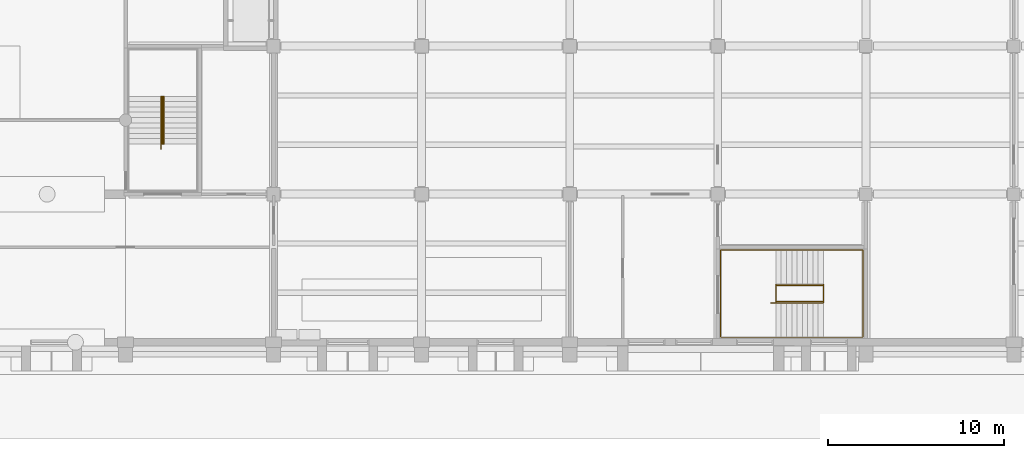
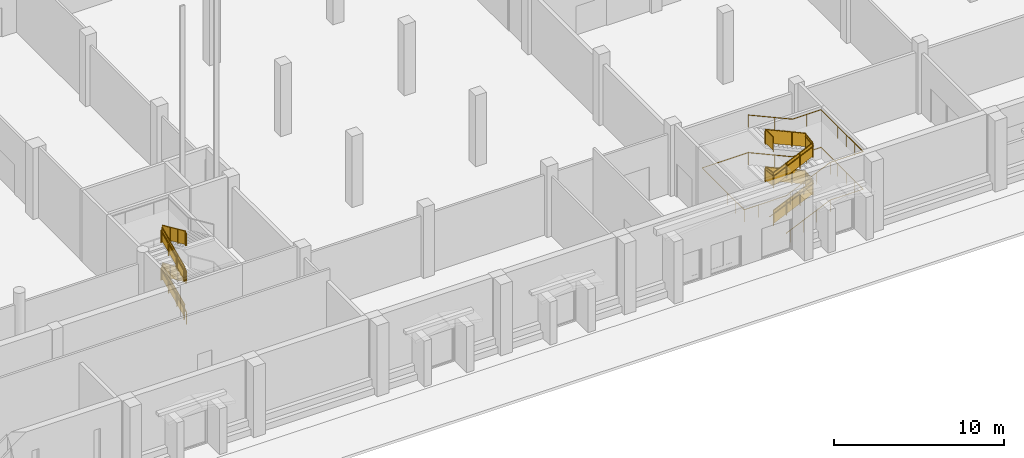
# One storey, part 63 of 74: 8 railings.
"""IFC4 building model written with IfcOpenShell, lengths in metres."""

from ifc_helpers import new_model, si_unit, direction, frame, origin, origin_2d, place, context, subcontext, project, spatial, polyline, circle, outline, extrude, material, type_object, element, save


model = new_model("IFC4")

# Units and contexts
model_context = context("Model", 3, precision=1e-05, world=origin(), true_north=direction((0.0, 1.0)))
body_context = subcontext(model_context, "Body", "Model", "MODEL_VIEW")
ifc_project = project(units=[si_unit("LENGTHUNIT", "METRE"), si_unit("AREAUNIT", "SQUARE_METRE"), si_unit("VOLUMEUNIT", "CUBIC_METRE"), si_unit("PLANEANGLEUNIT", "RADIAN"), si_unit("MASSUNIT", "GRAM", prefix="KILO")], contexts=[model_context])

# Site, building, storey
site_placement = place(None, origin())
site = spatial("IfcSite", under=ifc_project, at=site_placement, CompositionType="ELEMENT")
building_placement = place(site_placement, origin())
building = spatial("IfcBuilding", under=site, at=building_placement, Name="Rulbaag Community and Learning Centre", CompositionType="ELEMENT")
storey_placement = place(building_placement, origin())
storey = spatial("IfcBuildingStorey", under=building, at=storey_placement, Name="L00", CompositionType="ELEMENT", Elevation=0.0)

# Railings
ifc_material_1 = material(Name="Galvanised mild steel", Category="steel")
railing_type_1 = type_object("IfcRailingType", Name="GR-1100 GUARD 1100", PredefinedType="GUARDRAIL", material=ifc_material_1)
railing_1_placement = place(storey_placement, frame((86.080078125, 11.25, 0.135009765625)))
element("IfcRailing", 1, at=railing_1_placement, inside=storey, type_object=railing_type_1, Name="Guard SH2 L00 G", PredefinedType="GUARDRAIL", context=body_context, shape_type="SweptSolid", body=[
    extrude(circle(Radius=0.02490234375, at=origin_2d()), frame((0.0, 0.0, 1.0751953125), z_axis=(0.0, 0.911907618724, 0.410395534713), x_axis=(-1.0, 0.0, 0.0)), (0.0, 0.0, 1.0), 2.960693359375),
    extrude(circle(Radius=0.02001953125, at=origin_2d()), origin(), (0.0, 0.0, 1.0), 1.050048828125),
    extrude(circle(Radius=0.02001953125, at=origin_2d()), frame((0.0, 0.89990234375, 0.405029296875)), (0.0, 0.0, 1.0), 1.050048828125),
    extrude(circle(Radius=0.02001953125, at=origin_2d()), frame((0.0, 1.800048828125, 0.81005859375)), (0.0, 0.0, 1.0), 1.050048828125),
    extrude(circle(Radius=0.02001953125, at=origin_2d()), frame((0.0, 2.699951171875, 1.215087890625)), (0.0, 0.0, 1.0), 1.050048828125),
    extrude(outline(polyline([(0.0, 0.0), (2.699951171875, 1.215087890625), (2.699951171875, 2.1650390625), (0.0, 0.949951171875), (0.0, 0.0)])), frame((-0.0048828125, 0.0, 0.10009765625), z_axis=(1.0, 0.0, 0.0), x_axis=(0.0, 1.0, 0.0)), (0.0, 0.0, 1.0), 0.010009765625),
])
railing_2_placement = place(storey_placement, frame((86.1201171875, 13.949951171875, 1.485107421875)))
element("IfcRailing", 2, at=railing_2_placement, inside=storey, type_object=railing_type_1, Name="Guard SH2 L00 G2", PredefinedType="GUARDRAIL", context=body_context, shape_type="SweptSolid", body=[
    extrude(circle(Radius=0.02490234375, at=origin_2d()), frame((0.0, 0.0, 1.0751953125), z_axis=(0.0, -0.91193847666, 0.410326960834), x_axis=(1.0, 0.0, 0.0)), (0.0, 0.0, 1.0), 2.960693359375),
    extrude(circle(Radius=0.02001953125, at=origin_2d()), origin(), (0.0, 0.0, 1.0), 1.050048828125),
    extrude(circle(Radius=0.02001953125, at=origin_2d()), frame((0.0, -0.89990234375, 0.405029296875)), (0.0, 0.0, 1.0), 1.050048828125),
    extrude(circle(Radius=0.02001953125, at=origin_2d()), frame((0.0, -1.800048828125, 0.809814453125)), (0.0, 0.0, 1.0), 1.050048828125),
    extrude(circle(Radius=0.02001953125, at=origin_2d()), frame((0.0, -2.699951171875, 1.21484375)), (0.0, 0.0, 1.0), 1.050048828125),
    extrude(outline(polyline([(0.0, 0.0), (2.699951171875, 1.21484375), (2.699951171875, 2.164794921875), (0.0, 0.949951171875), (0.0, 0.0)])), frame((0.0048828125, 0.0, 0.10009765625), z_axis=(-1.0, 0.0, 0.0), x_axis=(0.0, -1.0, 0.0)), (0.0, 0.0, 1.0), 0.010009765625),
])
railing_3_placement = place(storey_placement, frame((86.080078125, 11.25, 2.8349609375)))
element("IfcRailing", 3, at=railing_3_placement, inside=storey, type_object=railing_type_1, Name="Guard SH2 L00 G3", PredefinedType="GUARDRAIL", context=body_context, shape_type="SweptSolid", body=[
    extrude(circle(Radius=0.02490234375, at=origin_2d()), frame((0.0, 0.0, 1.0751953125), z_axis=(0.0, 0.911907618724, 0.410395534713), x_axis=(-1.0, 0.0, 0.0)), (0.0, 0.0, 1.0), 2.960693359375),
    extrude(circle(Radius=0.02001953125, at=origin_2d()), origin(), (0.0, 0.0, 1.0), 1.050048828125),
    extrude(circle(Radius=0.02001953125, at=origin_2d()), frame((0.0, 0.89990234375, 0.405029296875)), (0.0, 0.0, 1.0), 1.050048828125),
    extrude(circle(Radius=0.02001953125, at=origin_2d()), frame((0.0, 1.800048828125, 0.81005859375)), (0.0, 0.0, 1.0), 1.050048828125),
    extrude(circle(Radius=0.02001953125, at=origin_2d()), frame((0.0, 2.699951171875, 1.215087890625)), (0.0, 0.0, 1.0), 1.050048828125),
    extrude(outline(polyline([(0.0, 0.0), (2.699951171875, 1.215087890625), (2.699951171875, 2.1650390625), (0.0, 0.949951171875), (0.0, 0.0)])), frame((-0.0048828125, 0.0, 0.10009765625), z_axis=(1.0, 0.0, 0.0), x_axis=(0.0, 1.0, 0.0)), (0.0, 0.0, 1.0), 0.010009765625),
])
railing_4_placement = place(storey_placement, frame((86.1201171875, 13.949951171875, 4.18505859375)))
element("IfcRailing", 4, at=railing_4_placement, inside=storey, type_object=railing_type_1, Name="Guard SH2 L00 G4", PredefinedType="GUARDRAIL", context=body_context, shape_type="SweptSolid", body=[
    extrude(circle(Radius=0.02490234375, at=origin_2d()), frame((0.0, 0.0, 1.0751953125), z_axis=(0.0, -0.91193847666, 0.410326960834), x_axis=(1.0, 0.0, 0.0)), (0.0, 0.0, 1.0), 2.960693359375),
    extrude(circle(Radius=0.02001953125, at=origin_2d()), origin(), (0.0, 0.0, 1.0), 1.050048828125),
    extrude(circle(Radius=0.02001953125, at=origin_2d()), frame((0.0, -0.89990234375, 0.405029296875)), (0.0, 0.0, 1.0), 1.050048828125),
    extrude(circle(Radius=0.02001953125, at=origin_2d()), frame((0.0, -1.800048828125, 0.809814453125)), (0.0, 0.0, 1.0), 1.050048828125),
    extrude(circle(Radius=0.02001953125, at=origin_2d()), frame((0.0, -2.699951171875, 1.21484375)), (0.0, 0.0, 1.0), 1.050048828125),
    extrude(outline(polyline([(0.0, 0.0), (2.699951171875, 1.21484375), (2.699951171875, 2.164794921875), (0.0, 0.949951171875), (0.0, 0.0)])), frame((0.0048828125, 0.0, 0.10009765625), z_axis=(-1.0, 0.0, 0.0), x_axis=(0.0, -1.0, 0.0)), (0.0, 0.0, 1.0), 0.010009765625),
])
railing_5_placement = place(storey_placement, frame((120.89990234375, 2.304931640625, 0.135009765625)))
element("IfcRailing", 5, at=railing_5_placement, inside=storey, type_object=railing_type_1, Name="Guard SH11 L00 G", PredefinedType="GUARDRAIL", context=body_context, shape_type="SweptSolid", body=[
    extrude(circle(Radius=0.02490234375, at=origin_2d()), frame((0.0, 0.0, 1.0751953125), z_axis=(0.911921505175, 0.0, 0.410364677329), x_axis=(0.0, 1.0, 0.0)), (0.0, 0.0, 1.0), 2.9609375),
    extrude(circle(Radius=0.02490234375, at=origin_2d()), frame((2.7001953125, 0.0, 2.2900390625), z_axis=(0.0, 0.989289738746, 0.145965108198), x_axis=(-1.0, 0.0, 0.0)), (0.0, 0.0, 1.0), 0.925048828125),
    extrude(circle(Radius=0.02490234375, at=origin_2d()), frame((2.7001953125, 0.9150390625, 2.42529296875), z_axis=(-0.91195235894, 0.0, 0.410296106518), x_axis=(0.0, -1.0, 0.0)), (0.0, 0.0, 1.0), 2.9609375),
    extrude(circle(Radius=0.02490234375, at=origin_2d()), frame((0.0, 0.9150390625, 3.64013671875), z_axis=(0.0, -0.989289738746, 0.145965108198), x_axis=(1.0, 0.0, 0.0)), (0.0, 0.0, 1.0), 0.925048828125),
    extrude(circle(Radius=0.02490234375, at=origin_2d()), frame((0.0, 0.0, 3.77490234375), z_axis=(0.911921505175, 0.0, 0.410364677329), x_axis=(0.0, 1.0, 0.0)), (0.0, 0.0, 1.0), 2.9609375),
    extrude(circle(Radius=0.02490234375, at=origin_2d()), frame((2.7001953125, 0.0, 4.990234375), z_axis=(0.0, 0.989289738746, 0.145965108198), x_axis=(-1.0, 0.0, 0.0)), (0.0, 0.0, 1.0), 0.925048828125),
    extrude(circle(Radius=0.02490234375, at=origin_2d()), frame((2.7001953125, 0.9150390625, 5.125), z_axis=(-0.91195235894, 0.0, 0.410296106518), x_axis=(0.0, -1.0, 0.0)), (0.0, 0.0, 1.0), 2.9609375),
    extrude(circle(Radius=0.02490234375, at=origin_2d()), frame((0.0, 0.9150390625, 6.33984375), z_axis=(0.0, -1.0, 0.0), x_axis=(1.0, 0.0, 0.0)), (0.0, 0.0, 1.0), 0.9150390625),
    extrude(circle(Radius=0.02001953125, at=origin_2d()), origin(), (0.0, 0.0, 1.0), 1.050048828125),
    extrude(circle(Radius=0.02001953125, at=origin_2d()), frame((0.900146484375, 0.0, 0.405029296875)), (0.0, 0.0, 1.0), 1.050048828125),
    extrude(circle(Radius=0.02001953125, at=origin_2d()), frame((1.800048828125, 0.0, 0.81005859375)), (0.0, 0.0, 1.0), 1.050048828125),
    extrude(circle(Radius=0.02001953125, at=origin_2d()), frame((2.7001953125, 0.0, 1.215087890625)), (0.0, 0.0, 1.0), 1.050048828125),
    extrude(circle(Radius=0.02001953125, at=origin_2d()), frame((2.7001953125, 0.9150390625, 1.35009765625)), (0.0, 0.0, 1.0), 1.050048828125),
    extrude(circle(Radius=0.02001953125, at=origin_2d()), frame((1.800048828125, 0.9150390625, 1.755126953125)), (0.0, 0.0, 1.0), 1.050048828125),
    extrude(circle(Radius=0.02001953125, at=origin_2d()), frame((0.900146484375, 0.9150390625, 2.159912109375)), (0.0, 0.0, 1.0), 1.050048828125),
    extrude(circle(Radius=0.02001953125, at=origin_2d()), frame((0.0, 0.9150390625, 2.56494140625)), (0.0, 0.0, 1.0), 1.050048828125),
    extrude(circle(Radius=0.02001953125, at=origin_2d()), frame((0.0, 0.0, 2.699951171875)), (0.0, 0.0, 1.0), 1.050048828125),
    extrude(circle(Radius=0.02001953125, at=origin_2d()), frame((0.900146484375, 0.0, 3.10498046875)), (0.0, 0.0, 1.0), 1.050048828125),
    extrude(circle(Radius=0.02001953125, at=origin_2d()), frame((1.800048828125, 0.0, 3.510009765625)), (0.0, 0.0, 1.0), 1.050048828125),
    extrude(circle(Radius=0.02001953125, at=origin_2d()), frame((2.7001953125, 0.0, 3.9150390625)), (0.0, 0.0, 1.0), 1.050048828125),
    extrude(circle(Radius=0.02001953125, at=origin_2d()), frame((2.7001953125, 0.9150390625, 4.050048828125)), (0.0, 0.0, 1.0), 1.050048828125),
    extrude(circle(Radius=0.02001953125, at=origin_2d()), frame((1.800048828125, 0.9150390625, 4.455078125)), (0.0, 0.0, 1.0), 1.050048828125),
    extrude(circle(Radius=0.02001953125, at=origin_2d()), frame((0.900146484375, 0.9150390625, 4.85986328125)), (0.0, 0.0, 1.0), 1.050048828125),
    extrude(circle(Radius=0.02001953125, at=origin_2d()), frame((0.0, 0.9150390625, 5.264892578125)), (0.0, 0.0, 1.0), 1.050048828125),
    extrude(circle(Radius=0.02001953125, at=origin_2d()), frame((0.0, 0.0, 5.264892578125)), (0.0, 0.0, 1.0), 1.050048828125),
    extrude(outline(polyline([(0.0, 0.0), (2.7001953125, 1.215087890625), (2.7001953125, 2.1650390625), (0.0, 0.949951171875), (0.0, 0.0)])), frame((0.0, 0.0048828125, 0.10009765625), z_axis=(0.0, -1.0, 0.0), x_axis=(1.0, 0.0, 0.0)), (0.0, 0.0, 1.0), 0.010009765625),
    extrude(outline(polyline([(0.0, 0.0), (0.9150390625, 0.135009765625), (0.9150390625, 1.0849609375), (0.0, 0.949951171875), (0.0, 0.0)])), frame((2.6953125, 0.0, 1.315185546875), z_axis=(1.0, 0.0, 0.0), x_axis=(0.0, 1.0, 0.0)), (0.0, 0.0, 1.0), 0.010009765625),
    extrude(outline(polyline([(0.0, 0.0), (2.7001953125, 1.21484375), (2.7001953125, 2.164794921875), (0.0, 0.949951171875), (0.0, 0.0)])), frame((2.7001953125, 0.91015625, 1.4501953125), z_axis=(0.0, 1.0, 0.0), x_axis=(-1.0, 0.0, 0.0)), (0.0, 0.0, 1.0), 0.010009765625),
    extrude(outline(polyline([(0.0, 0.0), (0.9150390625, 0.135009765625), (0.9150390625, 1.0849609375), (0.0, 0.949951171875), (0.0, 0.0)])), frame((0.0048828125, 0.9150390625, 2.6650390625), z_axis=(-1.0, 0.0, 0.0), x_axis=(0.0, -1.0, 0.0)), (0.0, 0.0, 1.0), 0.010009765625),
    extrude(outline(polyline([(0.0, 0.0), (2.7001953125, 1.215087890625), (2.7001953125, 2.1650390625), (0.0, 0.949951171875), (0.0, 0.0)])), frame((0.0, 0.0048828125, 2.800048828125), z_axis=(0.0, -1.0, 0.0), x_axis=(1.0, 0.0, 0.0)), (0.0, 0.0, 1.0), 0.010009765625),
    extrude(outline(polyline([(0.0, 0.0), (0.9150390625, 0.135009765625), (0.9150390625, 1.0849609375), (0.0, 0.949951171875), (0.0, 0.0)])), frame((2.6953125, 0.0, 4.01513671875), z_axis=(1.0, 0.0, 0.0), x_axis=(0.0, 1.0, 0.0)), (0.0, 0.0, 1.0), 0.010009765625),
    extrude(outline(polyline([(0.0, 0.0), (2.7001953125, 1.21484375), (2.7001953125, 2.164794921875), (0.0, 0.949951171875), (0.0, 0.0)])), frame((2.7001953125, 0.91015625, 4.150146484375), z_axis=(0.0, 1.0, 0.0), x_axis=(-1.0, 0.0, 0.0)), (0.0, 0.0, 1.0), 0.010009765625),
    extrude(outline(polyline([(0.0, 0.0), (0.9150390625, 0.0), (0.9150390625, 0.949951171875), (0.0, 0.949951171875), (0.0, 0.0)])), frame((0.0048828125, 0.9150390625, 5.364990234375), z_axis=(-1.0, 0.0, 0.0), x_axis=(0.0, -1.0, 0.0)), (0.0, 0.0, 1.0), 0.010009765625),
])
ifc_material_2 = material(Name="Stainless steel grade 316", Category="steel")
railing_type_2 = type_object("IfcRailingType", Name="HR-900 HANDRAIL 900", PredefinedType="HANDRAIL", material=ifc_material_2)
railing_6_placement = place(storey_placement, frame((86.010009765625, 10.949951171875, 0.0)))
element("IfcRailing", 6, at=railing_6_placement, inside=storey, type_object=railing_type_2, Name="Handrail SH2 L00 I", PredefinedType="HANDRAIL", context=body_context, shape_type="SweptSolid", body=[
    extrude(circle(Radius=0.024169921875, at=origin_2d()), frame((0.0, 0.0, 0.875732421875), z_axis=(0.0, 0.911935388494, 0.410333824115), x_axis=(-1.0, 0.0, 0.0)), (0.0, 0.0, 1.0), 0.3291015625),
    extrude(circle(Radius=0.024169921875, at=origin_2d()), frame((0.0, 0.300048828125, 1.0107421875), z_axis=(0.0, 0.911907618724, 0.410395534713), x_axis=(-1.0, 0.0, 0.0)), (0.0, 0.0, 1.0), 2.960693359375),
    extrude(circle(Radius=0.024169921875, at=origin_2d()), frame((0.0, 3.0, 2.225830078125), z_axis=(0.79986974456, 0.0, 0.600173634657), x_axis=(0.0, 1.0, 0.0)), (0.0, 0.0, 1.0), 0.224853515625),
    extrude(circle(Radius=0.024169921875, at=origin_2d()), frame((0.179931640625, 3.0, 2.36083984375), z_axis=(0.0, -0.91193847666, 0.410326960834), x_axis=(1.0, 0.0, 0.0)), (0.0, 0.0, 1.0), 2.960693359375),
    extrude(circle(Radius=0.024169921875, at=origin_2d()), frame((0.179931640625, 0.300048828125, 3.57568359375), z_axis=(-0.79986974456, 0.0, 0.600173634657), x_axis=(0.0, -1.0, 0.0)), (0.0, 0.0, 1.0), 0.224853515625),
    extrude(circle(Radius=0.024169921875, at=origin_2d()), frame((0.0, 0.300048828125, 3.710693359375), z_axis=(0.0, 0.911907618724, 0.410395534713), x_axis=(-1.0, 0.0, 0.0)), (0.0, 0.0, 1.0), 2.960693359375),
    extrude(circle(Radius=0.024169921875, at=origin_2d()), frame((0.0, 3.0, 4.92578125), z_axis=(0.79986974456, 0.0, 0.600173634657), x_axis=(0.0, 1.0, 0.0)), (0.0, 0.0, 1.0), 0.224853515625),
    extrude(circle(Radius=0.024169921875, at=origin_2d()), frame((0.179931640625, 3.0, 5.060791015625), z_axis=(0.0, -0.91193847666, 0.410326960834), x_axis=(1.0, 0.0, 0.0)), (0.0, 0.0, 1.0), 2.960693359375),
    extrude(circle(Radius=0.008056640625, at=origin_2d()), origin(), (0.0, 0.0, 1.0), 0.8515625),
    extrude(circle(Radius=0.008056640625, at=origin_2d()), frame((0.0, 0.300048828125, 0.135009765625)), (0.0, 0.0, 1.0), 0.8515625),
    extrude(circle(Radius=0.008056640625, at=origin_2d()), frame((0.0, 1.199951171875, 0.5400390625)), (0.0, 0.0, 1.0), 0.8515625),
    extrude(circle(Radius=0.008056640625, at=origin_2d()), frame((0.0, 2.10009765625, 0.945068359375)), (0.0, 0.0, 1.0), 0.8515625),
    extrude(circle(Radius=0.008056640625, at=origin_2d()), frame((0.0, 3.0, 1.35009765625)), (0.0, 0.0, 1.0), 0.8515625),
    extrude(circle(Radius=0.008056640625, at=origin_2d()), frame((0.179931640625, 3.0, 1.485107421875)), (0.0, 0.0, 1.0), 0.8515625),
    extrude(circle(Radius=0.008056640625, at=origin_2d()), frame((0.179931640625, 2.10009765625, 1.89013671875)), (0.0, 0.0, 1.0), 0.8515625),
    extrude(circle(Radius=0.008056640625, at=origin_2d()), frame((0.179931640625, 1.199951171875, 2.294921875)), (0.0, 0.0, 1.0), 0.8515625),
    extrude(circle(Radius=0.008056640625, at=origin_2d()), frame((0.179931640625, 0.300048828125, 2.699951171875)), (0.0, 0.0, 1.0), 0.8515625),
    extrude(circle(Radius=0.008056640625, at=origin_2d()), frame((0.0, 0.300048828125, 2.8349609375)), (0.0, 0.0, 1.0), 0.8515625),
    extrude(circle(Radius=0.008056640625, at=origin_2d()), frame((0.0, 1.199951171875, 3.239990234375)), (0.0, 0.0, 1.0), 0.8515625),
    extrude(circle(Radius=0.008056640625, at=origin_2d()), frame((0.0, 2.10009765625, 3.64501953125)), (0.0, 0.0, 1.0), 0.8515625),
    extrude(circle(Radius=0.008056640625, at=origin_2d()), frame((0.0, 3.0, 4.050048828125)), (0.0, 0.0, 1.0), 0.8515625),
    extrude(circle(Radius=0.008056640625, at=origin_2d()), frame((0.179931640625, 3.0, 4.18505859375)), (0.0, 0.0, 1.0), 0.8515625),
    extrude(circle(Radius=0.008056640625, at=origin_2d()), frame((0.179931640625, 2.10009765625, 4.590087890625)), (0.0, 0.0, 1.0), 0.8515625),
    extrude(circle(Radius=0.008056640625, at=origin_2d()), frame((0.179931640625, 1.199951171875, 4.994873046875)), (0.0, 0.0, 1.0), 0.8515625),
    extrude(circle(Radius=0.008056640625, at=origin_2d()), frame((0.179931640625, 0.300048828125, 5.39990234375)), (0.0, 0.0, 1.0), 0.8515625),
])
railing_7_placement = place(storey_placement, frame((120.60009765625, 0.284912109375, 0.0)))
element("IfcRailing", 7, at=railing_7_placement, inside=storey, type_object=railing_type_2, Name="Handrail SH11 L00 O", PredefinedType="HANDRAIL", context=body_context, shape_type="SweptSolid", body=[
    extrude(circle(Radius=0.024169921875, at=origin_2d()), frame((0.0, 0.0, 0.875732421875), z_axis=(0.911810325798, 0.0, 0.41061165323), x_axis=(0.0, 1.0, 0.0)), (0.0, 0.0, 1.0), 0.328857421875),
    extrude(circle(Radius=0.024169921875, at=origin_2d()), frame((0.2998046875, 0.0, 1.0107421875), z_axis=(0.911921505175, 0.0, 0.410364677329), x_axis=(0.0, 1.0, 0.0)), (0.0, 0.0, 1.0), 2.9609375),
    extrude(circle(Radius=0.024169921875, at=origin_2d()), frame((3.0, 0.0, 2.225830078125), z_axis=(1.0, 0.0, 0.0), x_axis=(0.0, 1.0, 0.0)), (0.0, 0.0, 1.0), 2.239990234375),
    extrude(circle(Radius=0.024169921875, at=origin_2d()), frame((5.239990234375, 0.0, 2.225830078125), z_axis=(0.0, 1.0, 0.0), x_axis=(-1.0, 0.0, 0.0)), (0.0, 0.0, 1.0), 4.955078125),
    extrude(circle(Radius=0.024169921875, at=origin_2d()), frame((5.239990234375, 4.955078125, 2.225830078125), z_axis=(-1.0, 0.0, 0.0), x_axis=(0.0, -1.0, 0.0)), (0.0, 0.0, 1.0), 1.940185546875),
    extrude(circle(Radius=0.024169921875, at=origin_2d()), frame((3.2998046875, 4.955078125, 2.225830078125), z_axis=(-0.911810325798, 0.0, 0.41061165323), x_axis=(0.0, -1.0, 0.0)), (0.0, 0.0, 1.0), 0.328857421875),
    extrude(circle(Radius=0.024169921875, at=origin_2d()), frame((3.0, 4.955078125, 2.36083984375), z_axis=(-0.91195235894, 0.0, 0.410296106518), x_axis=(0.0, -1.0, 0.0)), (0.0, 0.0, 1.0), 2.9609375),
    extrude(circle(Radius=0.024169921875, at=origin_2d()), frame((0.2998046875, 4.955078125, 3.57568359375), z_axis=(-1.0, 0.0, 0.0), x_axis=(0.0, -1.0, 0.0)), (0.0, 0.0, 1.0), 3.139892578125),
    extrude(circle(Radius=0.024169921875, at=origin_2d()), frame((-2.840087890625, 4.955078125, 3.57568359375), z_axis=(0.0, -1.0, 0.0), x_axis=(1.0, 0.0, 0.0)), (0.0, 0.0, 1.0), 4.955078125),
    extrude(circle(Radius=0.024169921875, at=origin_2d()), frame((-2.840087890625, 0.0, 3.57568359375), z_axis=(1.0, 0.0, 0.0), x_axis=(0.0, 1.0, 0.0)), (0.0, 0.0, 1.0), 2.840087890625),
    extrude(circle(Radius=0.024169921875, at=origin_2d()), frame((0.0, 0.0, 3.57568359375), z_axis=(0.911810325798, 0.0, 0.41061165323), x_axis=(0.0, 1.0, 0.0)), (0.0, 0.0, 1.0), 0.328857421875),
    extrude(circle(Radius=0.024169921875, at=origin_2d()), frame((0.2998046875, 0.0, 3.710693359375), z_axis=(0.911921505175, 0.0, 0.410364677329), x_axis=(0.0, 1.0, 0.0)), (0.0, 0.0, 1.0), 2.9609375),
    extrude(circle(Radius=0.024169921875, at=origin_2d()), frame((3.0, 0.0, 4.92578125), z_axis=(1.0, 0.0, 0.0), x_axis=(0.0, 1.0, 0.0)), (0.0, 0.0, 1.0), 2.239990234375),
    extrude(circle(Radius=0.024169921875, at=origin_2d()), frame((5.239990234375, 0.0, 4.92578125), z_axis=(0.0, 1.0, 0.0), x_axis=(-1.0, 0.0, 0.0)), (0.0, 0.0, 1.0), 4.955078125),
    extrude(circle(Radius=0.024169921875, at=origin_2d()), frame((5.239990234375, 4.955078125, 4.92578125), z_axis=(-1.0, 0.0, 0.0), x_axis=(0.0, -1.0, 0.0)), (0.0, 0.0, 1.0), 1.940185546875),
    extrude(circle(Radius=0.024169921875, at=origin_2d()), frame((3.2998046875, 4.955078125, 4.92578125), z_axis=(-0.911810325798, 0.0, 0.41061165323), x_axis=(0.0, -1.0, 0.0)), (0.0, 0.0, 1.0), 0.328857421875),
    extrude(circle(Radius=0.024169921875, at=origin_2d()), frame((3.0, 4.955078125, 5.060791015625), z_axis=(-0.91195235894, 0.0, 0.410296106518), x_axis=(0.0, -1.0, 0.0)), (0.0, 0.0, 1.0), 2.9609375),
    extrude(circle(Radius=0.008056640625, at=origin_2d()), origin(), (0.0, 0.0, 1.0), 0.8515625),
    extrude(circle(Radius=0.008056640625, at=origin_2d()), frame((0.2998046875, 0.0, 0.135009765625)), (0.0, 0.0, 1.0), 0.8515625),
    extrude(circle(Radius=0.008056640625, at=origin_2d()), frame((1.199951171875, 0.0, 0.5400390625)), (0.0, 0.0, 1.0), 0.8515625),
    extrude(circle(Radius=0.008056640625, at=origin_2d()), frame((2.099853515625, 0.0, 0.945068359375)), (0.0, 0.0, 1.0), 0.8515625),
    extrude(circle(Radius=0.008056640625, at=origin_2d()), frame((3.0, 0.0, 1.35009765625)), (0.0, 0.0, 1.0), 0.8515625),
    extrude(circle(Radius=0.008056640625, at=origin_2d()), frame((4.1201171875, 0.0, 1.35009765625)), (0.0, 0.0, 1.0), 0.8515625),
    extrude(circle(Radius=0.008056640625, at=origin_2d()), frame((5.239990234375, 0.0, 1.35009765625)), (0.0, 0.0, 1.0), 0.8515625),
    extrude(circle(Radius=0.008056640625, at=origin_2d()), frame((5.239990234375, 0.990966796875, 1.35009765625)), (0.0, 0.0, 1.0), 0.8515625),
    extrude(circle(Radius=0.008056640625, at=origin_2d()), frame((5.239990234375, 1.98193359375, 1.35009765625)), (0.0, 0.0, 1.0), 0.8515625),
    extrude(circle(Radius=0.008056640625, at=origin_2d()), frame((5.239990234375, 2.97314453125, 1.35009765625)), (0.0, 0.0, 1.0), 0.8515625),
    extrude(circle(Radius=0.008056640625, at=origin_2d()), frame((5.239990234375, 3.964111328125, 1.35009765625)), (0.0, 0.0, 1.0), 0.8515625),
    extrude(circle(Radius=0.008056640625, at=origin_2d()), frame((5.239990234375, 4.955078125, 1.35009765625)), (0.0, 0.0, 1.0), 0.8515625),
    extrude(circle(Radius=0.008056640625, at=origin_2d()), frame((4.27001953125, 4.955078125, 1.35009765625)), (0.0, 0.0, 1.0), 0.8515625),
    extrude(circle(Radius=0.008056640625, at=origin_2d()), frame((3.2998046875, 4.955078125, 1.35009765625)), (0.0, 0.0, 1.0), 0.8515625),
    extrude(circle(Radius=0.008056640625, at=origin_2d()), frame((3.0, 4.955078125, 1.485107421875)), (0.0, 0.0, 1.0), 0.8515625),
    extrude(circle(Radius=0.008056640625, at=origin_2d()), frame((2.099853515625, 4.955078125, 1.89013671875)), (0.0, 0.0, 1.0), 0.8515625),
    extrude(circle(Radius=0.008056640625, at=origin_2d()), frame((1.199951171875, 4.955078125, 2.294921875)), (0.0, 0.0, 1.0), 0.8515625),
    extrude(circle(Radius=0.008056640625, at=origin_2d()), frame((0.2998046875, 4.955078125, 2.699951171875)), (0.0, 0.0, 1.0), 0.8515625),
    extrude(circle(Radius=0.008056640625, at=origin_2d()), frame((-0.746826171875, 4.955078125, 2.699951171875)), (0.0, 0.0, 1.0), 0.8515625),
    extrude(circle(Radius=0.008056640625, at=origin_2d()), frame((-1.79345703125, 4.955078125, 2.699951171875)), (0.0, 0.0, 1.0), 0.8515625),
    extrude(circle(Radius=0.008056640625, at=origin_2d()), frame((-2.840087890625, 4.955078125, 2.699951171875)), (0.0, 0.0, 1.0), 0.8515625),
    extrude(circle(Radius=0.008056640625, at=origin_2d()), frame((-2.840087890625, 3.964111328125, 2.699951171875)), (0.0, 0.0, 1.0), 0.8515625),
    extrude(circle(Radius=0.008056640625, at=origin_2d()), frame((-2.840087890625, 2.97314453125, 2.699951171875)), (0.0, 0.0, 1.0), 0.8515625),
    extrude(circle(Radius=0.008056640625, at=origin_2d()), frame((-2.840087890625, 1.98193359375, 2.699951171875)), (0.0, 0.0, 1.0), 0.8515625),
    extrude(circle(Radius=0.008056640625, at=origin_2d()), frame((-2.840087890625, 0.990966796875, 2.699951171875)), (0.0, 0.0, 1.0), 0.8515625),
    extrude(circle(Radius=0.008056640625, at=origin_2d()), frame((-2.840087890625, 0.0, 2.699951171875)), (0.0, 0.0, 1.0), 0.8515625),
    extrude(circle(Radius=0.008056640625, at=origin_2d()), frame((-1.893310546875, 0.0, 2.699951171875)), (0.0, 0.0, 1.0), 0.8515625),
    extrude(circle(Radius=0.008056640625, at=origin_2d()), frame((-0.94677734375, 0.0, 2.699951171875)), (0.0, 0.0, 1.0), 0.8515625),
    extrude(circle(Radius=0.008056640625, at=origin_2d()), frame((0.0, 0.0, 2.699951171875)), (0.0, 0.0, 1.0), 0.8515625),
    extrude(circle(Radius=0.008056640625, at=origin_2d()), frame((0.2998046875, 0.0, 2.8349609375)), (0.0, 0.0, 1.0), 0.8515625),
    extrude(circle(Radius=0.008056640625, at=origin_2d()), frame((1.199951171875, 0.0, 3.239990234375)), (0.0, 0.0, 1.0), 0.8515625),
    extrude(circle(Radius=0.008056640625, at=origin_2d()), frame((2.099853515625, 0.0, 3.64501953125)), (0.0, 0.0, 1.0), 0.8515625),
    extrude(circle(Radius=0.008056640625, at=origin_2d()), frame((3.0, 0.0, 4.050048828125)), (0.0, 0.0, 1.0), 0.8515625),
    extrude(circle(Radius=0.008056640625, at=origin_2d()), frame((4.1201171875, 0.0, 4.050048828125)), (0.0, 0.0, 1.0), 0.8515625),
    extrude(circle(Radius=0.008056640625, at=origin_2d()), frame((5.239990234375, 0.0, 4.050048828125)), (0.0, 0.0, 1.0), 0.8515625),
    extrude(circle(Radius=0.008056640625, at=origin_2d()), frame((5.239990234375, 0.990966796875, 4.050048828125)), (0.0, 0.0, 1.0), 0.8515625),
    extrude(circle(Radius=0.008056640625, at=origin_2d()), frame((5.239990234375, 1.98193359375, 4.050048828125)), (0.0, 0.0, 1.0), 0.8515625),
    extrude(circle(Radius=0.008056640625, at=origin_2d()), frame((5.239990234375, 2.97314453125, 4.050048828125)), (0.0, 0.0, 1.0), 0.8515625),
    extrude(circle(Radius=0.008056640625, at=origin_2d()), frame((5.239990234375, 3.964111328125, 4.050048828125)), (0.0, 0.0, 1.0), 0.8515625),
    extrude(circle(Radius=0.008056640625, at=origin_2d()), frame((5.239990234375, 4.955078125, 4.050048828125)), (0.0, 0.0, 1.0), 0.8515625),
    extrude(circle(Radius=0.008056640625, at=origin_2d()), frame((4.27001953125, 4.955078125, 4.050048828125)), (0.0, 0.0, 1.0), 0.8515625),
    extrude(circle(Radius=0.008056640625, at=origin_2d()), frame((3.2998046875, 4.955078125, 4.050048828125)), (0.0, 0.0, 1.0), 0.8515625),
    extrude(circle(Radius=0.008056640625, at=origin_2d()), frame((3.0, 4.955078125, 4.18505859375)), (0.0, 0.0, 1.0), 0.8515625),
    extrude(circle(Radius=0.008056640625, at=origin_2d()), frame((2.099853515625, 4.955078125, 4.590087890625)), (0.0, 0.0, 1.0), 0.8515625),
    extrude(circle(Radius=0.008056640625, at=origin_2d()), frame((1.199951171875, 4.955078125, 4.994873046875)), (0.0, 0.0, 1.0), 0.8515625),
    extrude(circle(Radius=0.008056640625, at=origin_2d()), frame((0.2998046875, 4.955078125, 5.39990234375)), (0.0, 0.0, 1.0), 0.8515625),
])
railing_8_placement = place(storey_placement, frame((120.60009765625, 2.235107421875, 0.0)))
element("IfcRailing", 8, at=railing_8_placement, inside=storey, type_object=railing_type_2, Name="Handrail SH11 L00 I", PredefinedType="HANDRAIL", context=body_context, shape_type="SweptSolid", body=[
    extrude(circle(Radius=0.024169921875, at=origin_2d()), frame((0.0, 0.0, 0.875732421875), z_axis=(0.911810325798, 0.0, 0.41061165323), x_axis=(0.0, 1.0, 0.0)), (0.0, 0.0, 1.0), 0.328857421875),
    extrude(circle(Radius=0.024169921875, at=origin_2d()), frame((0.2998046875, 0.0, 1.0107421875), z_axis=(0.911921505175, 0.0, 0.410364677329), x_axis=(0.0, 1.0, 0.0)), (0.0, 0.0, 1.0), 2.9609375),
    extrude(circle(Radius=0.024169921875, at=origin_2d()), frame((3.0, 0.0, 2.225830078125), z_axis=(0.0, 0.991909852157, 0.126944260181), x_axis=(-1.0, 0.0, 0.0)), (0.0, 0.0, 1.0), 1.0634765625),
    extrude(circle(Radius=0.024169921875, at=origin_2d()), frame((3.0, 1.054931640625, 2.36083984375), z_axis=(-0.91195235894, 0.0, 0.410296106518), x_axis=(0.0, -1.0, 0.0)), (0.0, 0.0, 1.0), 2.9609375),
    extrude(circle(Radius=0.024169921875, at=origin_2d()), frame((0.2998046875, 1.054931640625, 3.57568359375), z_axis=(0.0, -0.991909852157, 0.126944260181), x_axis=(1.0, 0.0, 0.0)), (0.0, 0.0, 1.0), 1.0634765625),
    extrude(circle(Radius=0.024169921875, at=origin_2d()), frame((0.2998046875, 0.0, 3.710693359375), z_axis=(0.911921505175, 0.0, 0.410364677329), x_axis=(0.0, 1.0, 0.0)), (0.0, 0.0, 1.0), 2.9609375),
    extrude(circle(Radius=0.024169921875, at=origin_2d()), frame((3.0, 0.0, 4.92578125), z_axis=(0.0, 0.991909852157, 0.126944260181), x_axis=(-1.0, 0.0, 0.0)), (0.0, 0.0, 1.0), 1.0634765625),
    extrude(circle(Radius=0.024169921875, at=origin_2d()), frame((3.0, 1.054931640625, 5.060791015625), z_axis=(-0.91195235894, 0.0, 0.410296106518), x_axis=(0.0, -1.0, 0.0)), (0.0, 0.0, 1.0), 2.9609375),
    extrude(circle(Radius=0.008056640625, at=origin_2d()), origin(), (0.0, 0.0, 1.0), 0.8515625),
    extrude(circle(Radius=0.008056640625, at=origin_2d()), frame((0.2998046875, 0.0, 0.135009765625)), (0.0, 0.0, 1.0), 0.8515625),
    extrude(circle(Radius=0.008056640625, at=origin_2d()), frame((1.199951171875, 0.0, 0.5400390625)), (0.0, 0.0, 1.0), 0.8515625),
    extrude(circle(Radius=0.008056640625, at=origin_2d()), frame((2.099853515625, 0.0, 0.945068359375)), (0.0, 0.0, 1.0), 0.8515625),
    extrude(circle(Radius=0.008056640625, at=origin_2d()), frame((3.0, 0.0, 1.35009765625)), (0.0, 0.0, 1.0), 0.8515625),
    extrude(circle(Radius=0.008056640625, at=origin_2d()), frame((3.0, 1.054931640625, 1.485107421875)), (0.0, 0.0, 1.0), 0.8515625),
    extrude(circle(Radius=0.008056640625, at=origin_2d()), frame((2.099853515625, 1.054931640625, 1.89013671875)), (0.0, 0.0, 1.0), 0.8515625),
    extrude(circle(Radius=0.008056640625, at=origin_2d()), frame((1.199951171875, 1.054931640625, 2.294921875)), (0.0, 0.0, 1.0), 0.8515625),
    extrude(circle(Radius=0.008056640625, at=origin_2d()), frame((0.2998046875, 1.054931640625, 2.699951171875)), (0.0, 0.0, 1.0), 0.8515625),
    extrude(circle(Radius=0.008056640625, at=origin_2d()), frame((0.2998046875, 0.0, 2.8349609375)), (0.0, 0.0, 1.0), 0.8515625),
    extrude(circle(Radius=0.008056640625, at=origin_2d()), frame((1.199951171875, 0.0, 3.239990234375)), (0.0, 0.0, 1.0), 0.8515625),
    extrude(circle(Radius=0.008056640625, at=origin_2d()), frame((2.099853515625, 0.0, 3.64501953125)), (0.0, 0.0, 1.0), 0.8515625),
    extrude(circle(Radius=0.008056640625, at=origin_2d()), frame((3.0, 0.0, 4.050048828125)), (0.0, 0.0, 1.0), 0.8515625),
    extrude(circle(Radius=0.008056640625, at=origin_2d()), frame((3.0, 1.054931640625, 4.18505859375)), (0.0, 0.0, 1.0), 0.8515625),
    extrude(circle(Radius=0.008056640625, at=origin_2d()), frame((2.099853515625, 1.054931640625, 4.590087890625)), (0.0, 0.0, 1.0), 0.8515625),
    extrude(circle(Radius=0.008056640625, at=origin_2d()), frame((1.199951171875, 1.054931640625, 4.994873046875)), (0.0, 0.0, 1.0), 0.8515625),
    extrude(circle(Radius=0.008056640625, at=origin_2d()), frame((0.2998046875, 1.054931640625, 5.39990234375)), (0.0, 0.0, 1.0), 0.8515625),
])

save(model, "model.ifc")
